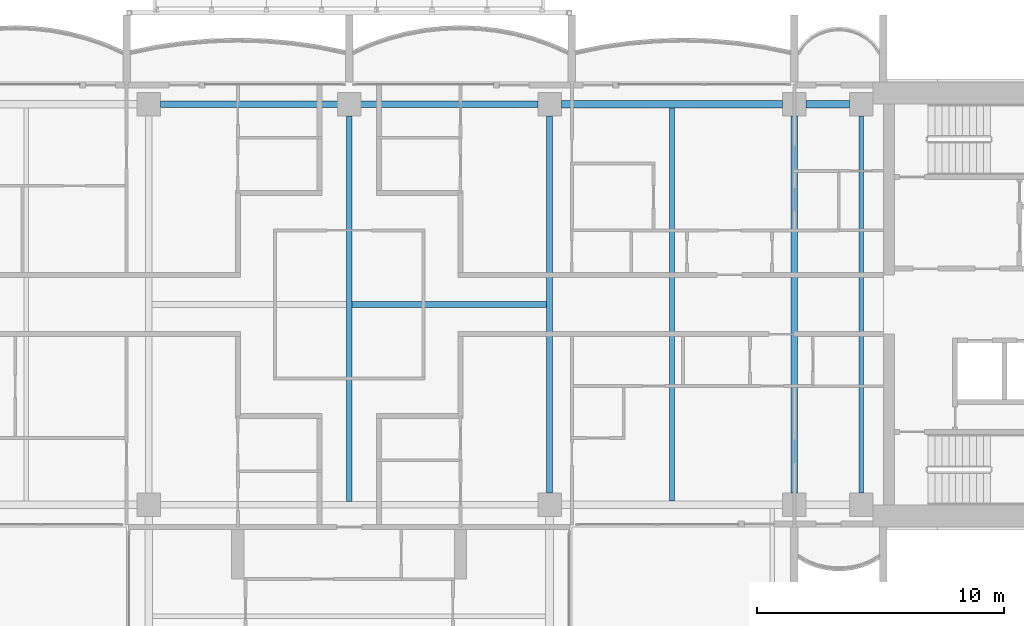
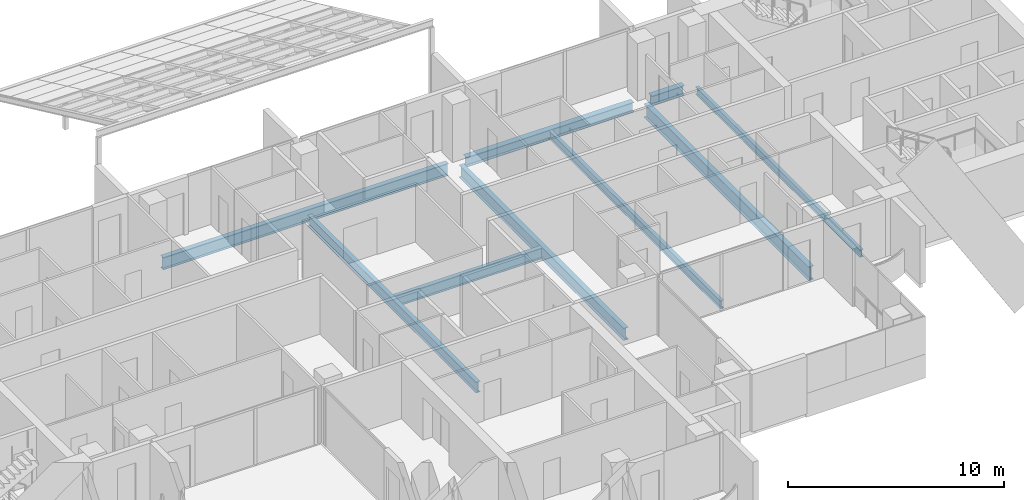
# One storey, part 5 of 20: 9 beams.
"""IFC4 building model written with IfcOpenShell, lengths in metres."""

from ifc_helpers import new_model, si_unit, direction, frame, origin, origin_2d, place, context, subcontext, project, spatial, i_section, extrude, material, material_profile, profile_set, type_object, element, save


model = new_model("IFC4")

# Units and contexts
model_context = context("Model", 3, precision=1e-05, world=origin(), true_north=direction((0.0, 1.0)))
body_context = subcontext(model_context, "Body", "Model", "MODEL_VIEW")
ifc_project = project(units=[si_unit("LENGTHUNIT", "METRE"), si_unit("AREAUNIT", "SQUARE_METRE"), si_unit("VOLUMEUNIT", "CUBIC_METRE"), si_unit("PLANEANGLEUNIT", "RADIAN"), si_unit("MASSUNIT", "GRAM", prefix="KILO")], contexts=[model_context])

# Site, building, storey
site_placement = place(None, origin())
site = spatial("IfcSite", under=ifc_project, at=site_placement, CompositionType="ELEMENT")
building_placement = place(site_placement, origin())
building = spatial("IfcBuilding", under=site, at=building_placement, Name="Perihelion Cross Residences", CompositionType="ELEMENT")
storey_placement = place(building_placement, frame((0.0, 0.0, 170.10009765625)))
storey = spatial("IfcBuildingStorey", under=building, at=storey_placement, Name="L41", CompositionType="ELEMENT", Elevation=170.10009765625)

# Beams
ifc_material_1 = material(Name="Steel S355", Category="steel")
ifc_material_profile_1 = material_profile(ifc_material_1, i_section(OverallWidth=0.180908203125, OverallDepth=0.4169921875, WebThickness=0.010986328125, FlangeThickness=0.018310546875, at=origin_2d()), Name="W410x85")
ifc_profile_set_1 = profile_set([ifc_material_profile_1], Name="Steel S355")
beam_type_1 = type_object("IfcBeamType", Name="Core edge beam W410x85", PredefinedType="BEAM", material=ifc_profile_set_1)
beam_1_placement = place(storey_placement, frame((20.699951171875, -7.625, -0.45849609375), z_axis=(0.0, 1.0, 0.0), x_axis=(-1.0, 0.0, 0.0)))
element("IfcBeam", 1, at=beam_1_placement, inside=storey, type_object=beam_type_1, Name="Core edge beam TB6 L41 no. 2", PredefinedType="BEAM", context=body_context, shape_type="SweptSolid", body=[
    extrude(i_section(OverallWidth=0.180908203125, OverallDepth=0.4169921875, WebThickness=0.010986328125, FlangeThickness=0.018310546875, at=origin_2d()), origin(), (0.0, 0.0, 1.0), 15.25),
])
ifc_material_2 = material(Name="Steel S355", Category="steel")
ifc_material_profile_2 = material_profile(ifc_material_2, i_section(OverallWidth=0.31201171875, OverallDepth=0.5439453125, WebThickness=0.0126953125, FlangeThickness=0.020263671875, at=origin_2d()), Name="W530x150")
ifc_profile_set_2 = profile_set([ifc_material_profile_2], Name="Steel S355")
beam_type_2 = type_object("IfcBeamType", Name="Edge beam W530x150", PredefinedType="SPANDREL", material=ifc_profile_set_2)
beam_2_placement = place(storey_placement, frame((20.22509765625, 8.10009765625, -0.522216796875), z_axis=(-1.0, 0.0, 0.0), x_axis=(0.0, -1.0, 0.0)))
element("IfcBeam", 2, at=beam_2_placement, inside=storey, type_object=beam_type_2, Name="Edge beam SB4 L41 no. 10", PredefinedType="SPANDREL", context=body_context, shape_type="SweptSolid", body=[
    extrude(i_section(OverallWidth=0.31201171875, OverallDepth=0.5439453125, WebThickness=0.0126953125, FlangeThickness=0.020263671875, at=origin_2d()), origin(), (0.0, 0.0, 1.0), 1.75),
])
beam_3_placement = place(storey_placement, frame((17.52490234375, 8.10009765625, -0.522216796875), z_axis=(-1.0, 0.0, 0.0), x_axis=(0.0, -1.0, 0.0)))
element("IfcBeam", 3, at=beam_3_placement, inside=storey, type_object=beam_type_2, Name="Edge beam SB4 L41 no. 9", PredefinedType="SPANDREL", context=body_context, shape_type="SweptSolid", body=[
    extrude(i_section(OverallWidth=0.31201171875, OverallDepth=0.5439453125, WebThickness=0.0126953125, FlangeThickness=0.020263671875, at=origin_2d()), origin(), (0.0, 0.0, 1.0), 8.949951171875),
])
ifc_material_3 = material(Name="Steel S355", Category="steel")
ifc_material_profile_3 = material_profile(ifc_material_3, i_section(OverallWidth=0.26708984375, OverallDepth=0.77001953125, WebThickness=0.015625, FlangeThickness=0.025390625, at=origin_2d()), Name="W760x196")
ifc_profile_set_3 = profile_set([ifc_material_profile_3], Name="Steel S355")
beam_type_3 = type_object("IfcBeamType", Name="Floor girder W760x196", PredefinedType="BEAM", material=ifc_profile_set_3)
beam_4_placement = place(storey_placement, frame((18.0, -7.625, -0.635009765625), z_axis=(0.0, 1.0, 0.0), x_axis=(-1.0, 0.0, 0.0)))
element("IfcBeam", 4, at=beam_4_placement, inside=storey, type_object=beam_type_3, Name="Girder G4 L41 no. 2", PredefinedType="BEAM", context=body_context, shape_type="SweptSolid", body=[
    extrude(i_section(OverallWidth=0.26708984375, OverallDepth=0.77001953125, WebThickness=0.015625, FlangeThickness=0.025390625, at=origin_2d()), origin(), (0.0, 0.0, 1.0), 15.25),
])
ifc_material_4 = material(Name="Steel S355", Category="steel")
ifc_material_profile_4 = material_profile(ifc_material_4, i_section(OverallWidth=0.19091796875, OverallDepth=0.45703125, WebThickness=0.009033203125, FlangeThickness=0.014404296875, at=origin_2d()), Name="W460x74")
ifc_profile_set_4 = profile_set([ifc_material_profile_4], Name="Steel S355")
beam_type_4 = type_object("IfcBeamType", Name="Floor joist W460x74", PredefinedType="JOIST", material=ifc_profile_set_4)
beam_5_placement = place(storey_placement, frame((13.050048828125, -7.944091796875, -0.478515625), z_axis=(0.0, 1.0, 0.0), x_axis=(-1.0, 0.0, 0.0)))
element("IfcBeam", 5, at=beam_5_placement, inside=storey, type_object=beam_type_4, Name="Joist J5 L41 no. 2", PredefinedType="JOIST", context=body_context, shape_type="SweptSolid", body=[
    extrude(i_section(OverallWidth=0.19091796875, OverallDepth=0.45703125, WebThickness=0.009033203125, FlangeThickness=0.014404296875, at=origin_2d()), origin(), (0.0, 0.0, 1.0), 15.88818359375),
])
ifc_material_5 = material(Name="Steel S355", Category="steel")
ifc_material_profile_5 = material_profile(ifc_material_5, i_section(OverallWidth=0.22900390625, OverallDepth=0.612060546875, WebThickness=0.011962890625, FlangeThickness=0.01953125, at=origin_2d()), Name="W610x125")
ifc_profile_set_5 = profile_set([ifc_material_profile_5], Name="Steel S355")
beam_type_5 = type_object("IfcBeamType", Name="Hub cross beam W610x125", PredefinedType="BEAM", material=ifc_profile_set_5)
beam_6_placement = place(storey_placement, frame((0.0, -7.971435546875, -0.55615234375), z_axis=(0.0, 1.0, 0.0), x_axis=(-1.0, 0.0, 0.0)))
element("IfcBeam", 6, at=beam_6_placement, inside=storey, type_object=beam_type_5, Name="Hub cross beam XB4 L41 no. 1", PredefinedType="BEAM", context=body_context, shape_type="SweptSolid", body=[
    extrude(i_section(OverallWidth=0.22900390625, OverallDepth=0.612060546875, WebThickness=0.011962890625, FlangeThickness=0.01953125, at=origin_2d()), origin(), (0.0, 0.0, 1.0), 15.596435546875),
])
beam_7_placement = place(storey_placement, frame((0.114501953125, 0.0, -0.55615234375), z_axis=(1.0, 0.0, 0.0), x_axis=(0.0, 1.0, 0.0)))
element("IfcBeam", 7, at=beam_7_placement, inside=storey, type_object=beam_type_5, Name="Hub cross beam XB4 L41 2 no. 1", PredefinedType="BEAM", context=body_context, shape_type="SweptSolid", body=[
    extrude(i_section(OverallWidth=0.22900390625, OverallDepth=0.612060546875, WebThickness=0.011962890625, FlangeThickness=0.01953125, at=origin_2d()), origin(), (0.0, 0.0, 1.0), 7.85693359375),
])
ifc_material_6 = material(Name="Steel S355", Category="steel")
ifc_material_profile_6 = material_profile(ifc_material_6, i_section(OverallWidth=0.257080078125, OverallDepth=0.693115234375, WebThickness=0.014404296875, FlangeThickness=0.023681640625, at=origin_2d()), Name="W690x170")
ifc_profile_set_6 = profile_set([ifc_material_profile_6], Name="Steel S355")
beam_type_6 = type_object("IfcBeamType", Name="Hub ring girder W690x170", PredefinedType="BEAM", material=ifc_profile_set_6)
for number, where, z_axis, x_axis, name in (
    (8, (8.10009765625, -7.625, -0.5966796875), (0.0, 1.0, 0.0), (-1.0, 0.0, 0.0), "Hub ring girder RG4 L41 no. 3"),
    (9, (7.625, 8.10009765625, -0.5966796875), (-1.0, 0.0, 0.0), (0.0, -1.0, 0.0), "Hub ring girder RG4 L41 no. 4"),
):
    element("IfcBeam", number, at=place(storey_placement, frame(where, z_axis=z_axis, x_axis=x_axis)), inside=storey, type_object=beam_type_6, Name=name, PredefinedType="BEAM", context=body_context, shape_type="SweptSolid", body=[
        extrude(i_section(OverallWidth=0.257080078125, OverallDepth=0.693115234375, WebThickness=0.014404296875, FlangeThickness=0.023681640625, at=origin_2d()), origin(), (0.0, 0.0, 1.0), 15.25),
    ])

save(model, "model.ifc")
